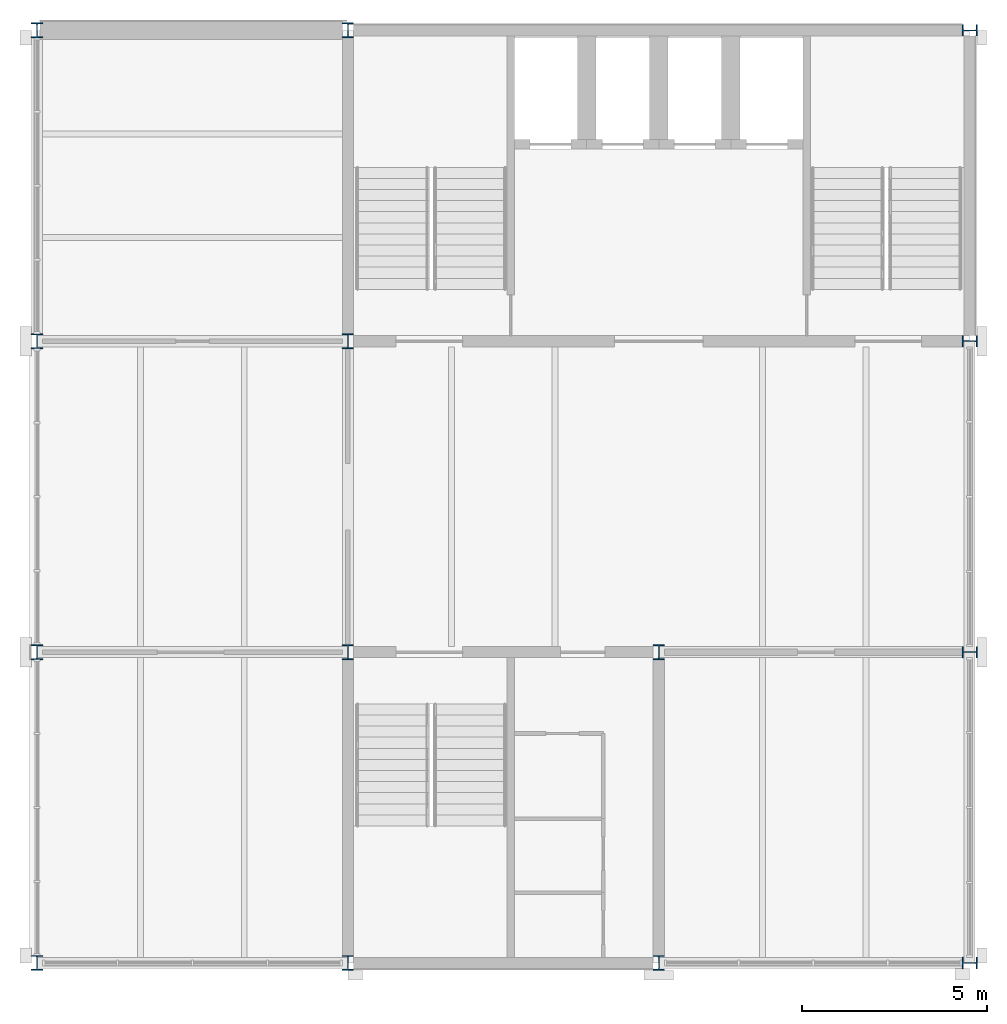
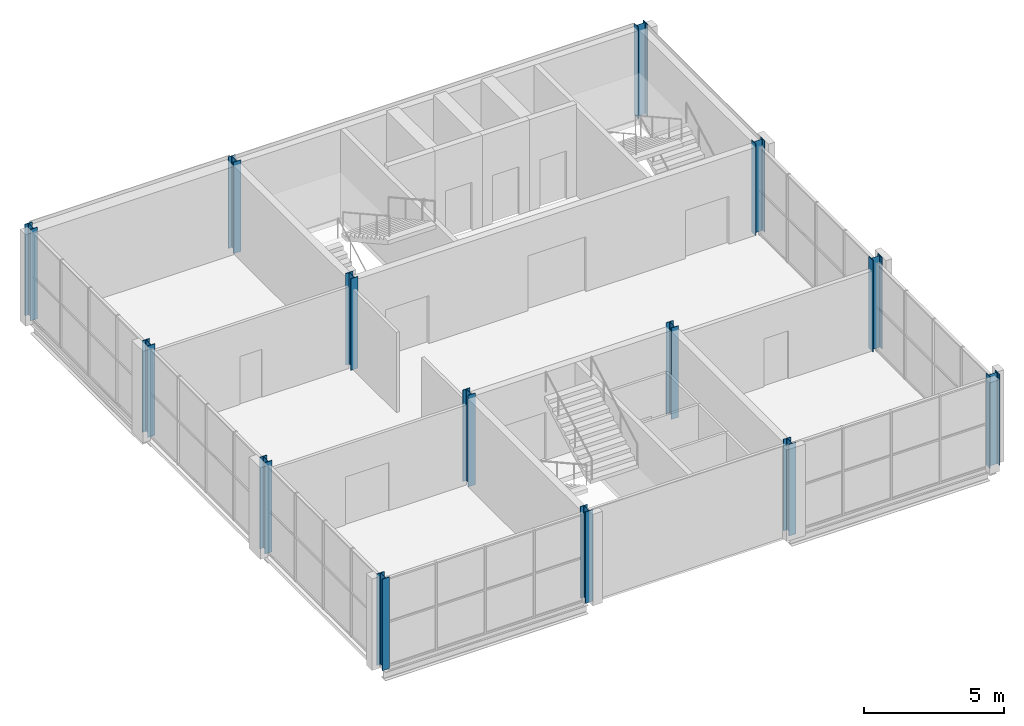
# One storey, part 1 of 8: 14 columns.
"""IFC4 building model written with IfcOpenShell, lengths in metres."""

import ifcopenshell
import ifcopenshell.guid

model = None  # the IFC model being written
_history = None  # IfcOwnerHistory: only IFC2X3 demands one
_inside = {}  # id of a spatial element -> (the spatial element, [elements in it])
_under = {}  # id of a project, library or spatial element -> (it, [spatial elements below it])
_declared = {}  # id of a project -> (the project, [libraries it declares])
_typed = {}  # id of a type object -> (the type object, [elements of that type])
_made_of = {}  # id of a material, layer set ... -> (it, [elements and type objects made of it])


def new_model(schema):
    """Start an empty IFC model of exactly this schema.

    Asked for "IFC4X3", IfcOpenShell would pick the latest addendum, in which some entities
    have other attributes; the version numbers below select the first issue.
    IFC2X3 requires an IfcOwnerHistory on every rooted entity: one is made here for all.
    """
    global model, _history
    if schema == "IFC4X3":
        model = ifcopenshell.file(schema_version=(4, 3, 0, 0))
    else:
        model = ifcopenshell.file(schema=schema)
    _inside.clear()
    _under.clear()
    _declared.clear()
    _typed.clear()
    _made_of.clear()
    _history = None
    if model.schema == "IFC2X3":
        org = make("IfcOrganization", Name="unknown")
        user = make(
            "IfcPersonAndOrganization",
            ThePerson=make("IfcPerson", FamilyName="unknown"),
            TheOrganization=org,
        )
        app = make(
            "IfcApplication",
            ApplicationDeveloper=org,
            Version="unknown",
            ApplicationFullName="unknown",
            ApplicationIdentifier="unknown",
        )
        _history = make(
            "IfcOwnerHistory",
            OwningUser=user,
            OwningApplication=app,
            ChangeAction="ADDED",
            CreationDate=0,
        )
    return model


def make(cls, **values):
    """One entity of the class cls with the attributes given. An attribute that is None is left unset."""
    return model.create_entity(
        cls, **{name: value for name, value in values.items() if value is not None}
    )


def rooted(cls, **values):
    """An entity with a GlobalId (a new one), such as an element, a storey or a relation."""
    return make(cls, GlobalId=ifcopenshell.guid.new(), OwnerHistory=_history, **values)


def si_unit(unit_type, name, prefix=None):
    """IfcSIUnit, for example si_unit("LENGTHUNIT", "METRE", prefix="MILLI")."""
    return make("IfcSIUnit", UnitType=unit_type, Prefix=prefix, Name=name)


def assignment(units):
    """IfcUnitAssignment: the units of a project."""
    return None if units is None else make("IfcUnitAssignment", Units=units)


def point(xyz):
    """IfcCartesianPoint."""
    return None if xyz is None else make("IfcCartesianPoint", Coordinates=xyz)


def direction(xyz):
    """IfcDirection."""
    return None if xyz is None else make("IfcDirection", DirectionRatios=xyz)


def frame(location, z_axis=None, x_axis=None):
    """IfcAxis2Placement3D, a coordinate frame: its origin and axes. An axis left out is left unset."""
    return make(
        "IfcAxis2Placement3D",
        Location=point(location),
        Axis=direction(z_axis),
        RefDirection=direction(x_axis),
    )


def frame_2d(location, x_axis=None):
    """IfcAxis2Placement2D, a coordinate frame in the plane: its origin and x axis."""
    return make(
        "IfcAxis2Placement2D", Location=point(location), RefDirection=direction(x_axis)
    )


def origin():
    """The frame at (0, 0, 0) with its axes left unset."""
    return frame((0.0, 0.0, 0.0))


def origin_2d():
    """The frame at (0, 0) in the plane with its x axis left unset."""
    return frame_2d((0.0, 0.0))


def place(relative_to, where):
    """IfcLocalPlacement: puts the frame where relative to a parent placement (None: the world)."""
    return make(
        "IfcLocalPlacement", PlacementRelTo=relative_to, RelativePlacement=where
    )


def context(
    kind, dimensions, precision=None, world=None, true_north=None, identifier=None
):
    """IfcGeometricRepresentationContext, for example the 3D "Model" context."""
    return make(
        "IfcGeometricRepresentationContext",
        ContextIdentifier=identifier,
        ContextType=kind,
        CoordinateSpaceDimension=dimensions,
        Precision=precision,
        WorldCoordinateSystem=world,
        TrueNorth=true_north,
    )


def subcontext(parent, identifier, kind, view, scale=None):
    """IfcGeometricRepresentationSubContext, for example "Body" below "Model"."""
    return make(
        "IfcGeometricRepresentationSubContext",
        ContextIdentifier=identifier,
        ContextType=kind,
        ParentContext=parent,
        TargetScale=scale,
        TargetView=view,
    )


def project(units=None, contexts=None):
    """IfcProject with its units and contexts."""
    return rooted(
        "IfcProject",
        Name="project",
        RepresentationContexts=contexts,
        UnitsInContext=assignment(units),
    )


def spatial(cls, under=None, at=None, **own):
    """A site, building, storey or space (cls), placed at a placement, below another one or the project."""
    s = rooted(cls, ObjectPlacement=at, **own)
    if under is not None:
        _under.setdefault(under.id(), (under, []))[1].append(s)
    return s


def profile(cls, at=None, kind="AREA", **sizes):
    """A parametric profile (cls). Its sizes go by their IFC names, for example OverallWidth=200.0."""
    return make(cls, ProfileType=kind, Position=at, **sizes)


def i_section(**sizes):
    """IfcIShapeProfileDef."""
    return profile("IfcIShapeProfileDef", **sizes)


def extrude(swept, where, along, depth):
    """IfcExtrudedAreaSolid: the profile swept, set in the frame where, extruded along a direction by depth."""
    return make(
        "IfcExtrudedAreaSolid",
        SweptArea=swept,
        Position=where,
        ExtrudedDirection=direction(along),
        Depth=depth,
    )


def shape(context_of_items, identifier, shape_type, items):
    """IfcShapeRepresentation: the items that make up one representation, for example the "Body"."""
    return make(
        "IfcShapeRepresentation",
        ContextOfItems=context_of_items,
        RepresentationIdentifier=identifier,
        RepresentationType=shape_type,
        Items=items,
    )


def material(Name=None, Category=None):
    """IfcMaterial."""
    return make("IfcMaterial", Name=Name, Category=Category)


def material_profile(
    of_material, cross_section, Name=None, Category=None, Priority=None
):
    """IfcMaterialProfile: a cross section and its material."""
    return make(
        "IfcMaterialProfile",
        Name=Name,
        Material=of_material,
        Profile=cross_section,
        Priority=Priority,
        Category=Category,
    )


def profile_set(profiles, Name=None, composite=None):
    """IfcMaterialProfileSet."""
    return make(
        "IfcMaterialProfileSet",
        Name=Name,
        MaterialProfiles=profiles,
        CompositeProfile=composite,
    )


def made_of(thing, what):
    """Note that an element or type object is made of a material, layer set ...; save() writes the relation."""
    if what is not None:
        _made_of.setdefault(what.id(), (what, []))[1].append(thing)
    return thing


def type_object(cls, material=None, **own):
    """A type object (cls), such as IfcWallType, which elements share."""
    return made_of(rooted(cls, **own), material)


def element(
    cls,
    number,
    at=None,
    inside=None,
    cuts=None,
    type_object=None,
    material=None,
    context=None,
    identifier="Body",
    shape_type=None,
    held_by="IfcProductDefinitionShape",
    body=None,
    shapes=None,
    **own,
):
    """One element of the class cls, such as IfcWall. Its Tag is "e" and its number.

    at: its placement. inside: the storey or other place that contains it. cuts: it is an
    opening in that element (IfcRelVoidsElement). A single representation is given by context,
    identifier, shape_type and body (its items); several are given by shapes. held_by: the class
    of the entity that holds the representations. save() writes the other relations.
    """
    e = rooted(cls, Tag="e%d" % number, ObjectPlacement=at, **own)
    if body is not None:
        shapes = [shape(context, identifier, shape_type, body)]
    if shapes is not None:
        e.Representation = make(held_by, Representations=shapes)
    if inside is not None:
        _inside.setdefault(inside.id(), (inside, []))[1].append(e)
    if cuts is not None:
        rooted(
            "IfcRelVoidsElement", RelatingBuildingElement=cuts, RelatedOpeningElement=e
        )
    if type_object is not None:
        _typed.setdefault(type_object.id(), (type_object, []))[1].append(e)
    return made_of(e, material)


def aggregate(whole, parts):
    """IfcRelAggregates: a whole, such as a stair, and the parts it consists of."""
    return rooted("IfcRelAggregates", RelatingObject=whole, RelatedObjects=parts)


def save(model, path):
    """Write the relations noted so far, then the file.

    IfcRelAggregates (storeys below a building ...), IfcRelContainedInSpatialStructure (elements
    in a storey), IfcRelDefinesByType, IfcRelAssociatesMaterial and IfcRelDeclares: one each for
    every whole, place, type object, material and project.
    """
    for whole, parts in _under.values():
        aggregate(whole, parts)
    for where, things in _inside.values():
        rooted(
            "IfcRelContainedInSpatialStructure",
            RelatedElements=things,
            RelatingStructure=where,
        )
    for kind, things in _typed.values():
        rooted("IfcRelDefinesByType", RelatedObjects=things, RelatingType=kind)
    for what, things in _made_of.values():
        rooted("IfcRelAssociatesMaterial", RelatedObjects=things, RelatingMaterial=what)
    for by, libraries in _declared.values():
        rooted("IfcRelDeclares", RelatingContext=by, RelatedDefinitions=libraries)
    model.write(path)


model = new_model("IFC4")

# Units and contexts
model_context = context("Model", 3, precision=1e-05, world=origin(), true_north=direction((0.0, 1.0)))
body_context = subcontext(model_context, "Body", "Model", "MODEL_VIEW")
ifc_project = project(units=[si_unit("LENGTHUNIT", "METRE"), si_unit("AREAUNIT", "SQUARE_METRE"), si_unit("VOLUMEUNIT", "CUBIC_METRE"), si_unit("PLANEANGLEUNIT", "RADIAN"), si_unit("MASSUNIT", "GRAM", prefix="KILO")], contexts=[model_context])

# Site, building, storey
site_placement = place(None, origin())
site = spatial("IfcSite", under=ifc_project, at=site_placement, CompositionType="ELEMENT")
building_placement = place(site_placement, origin())
building = spatial("IfcBuilding", under=site, at=building_placement, Name="Galleria Vessillo Department Store", CompositionType="ELEMENT")
storey_placement = place(building_placement, frame((0.0, 0.0, 51.60009765625)))
storey = spatial("IfcBuildingStorey", under=building, at=storey_placement, Name="L11", CompositionType="ELEMENT", Elevation=51.60009765625)

# Columns
ifc_material = material(Name="Steel S355 J2", Category="steel")
ifc_material_profile = material_profile(ifc_material, i_section(OverallWidth=0.300048828125, OverallDepth=0.39990234375, WebThickness=0.013427734375, FlangeThickness=0.02392578125, FilletRadius=0.027099609375, at=origin_2d()), Name="HEB 400")
ifc_profile_set = profile_set([ifc_material_profile], Name="Steel S355 J2")
column_type = type_object("IfcColumnType", Name="Steel column HEB 400 CT4", PredefinedType="COLUMN", material=ifc_profile_set)
for number, where, z_axis, x_axis, name in (
    (1, (92.39990234375, 37.800048828125, 0.0), (0.0, 0.0, 1.0), (1.0, 0.0, 0.0), "S-COL-L11-12-E"),
    (2, (92.39990234375, 46.199951171875, 0.0), (0.0, 0.0, 1.0), (1.0, 0.0, 0.0), "S-COL-L11-12-F"),
    (3, (92.39990234375, 54.60009765625, 0.0), (0.0, 0.0, 1.0), (1.0, 0.0, 0.0), "S-COL-L11-12-G"),
    (4, (92.39990234375, 63.0, 0.0), (0.0, 0.0, 1.0), (1.0, 0.0, 0.0), "S-COL-L11-12-H"),
    (5, (100.800048828125, 37.800048828125, 0.0), (0.0, 0.0, 1.0), (1.0, 0.0, 0.0), "S-COL-L11-13-E"),
    (6, (100.800048828125, 46.199951171875, 0.0), (0.0, 0.0, 1.0), (1.0, 0.0, 0.0), "S-COL-L11-13-F"),
    (7, (100.800048828125, 54.60009765625, 0.0), (0.0, 0.0, 1.0), (1.0, 0.0, 0.0), "S-COL-L11-13-G"),
    (8, (100.800048828125, 63.0, 0.0), (0.0, 0.0, 1.0), (1.0, 0.0, 0.0), "S-COL-L11-13-H"),
    (9, (109.199951171875, 37.800048828125, 0.0), (0.0, 0.0, 1.0), (1.0, 0.0, 0.0), "S-COL-L11-14-E"),
    (10, (109.199951171875, 46.199951171875, 0.0), (0.0, 0.0, 1.0), (1.0, 0.0, 0.0), "S-COL-L11-14-F"),
    (11, (117.60009765625, 37.800048828125, 0.0), (0.0, 0.0, 1.0), (0.0, 1.0, 0.0), "S-COL-L11-15-E"),
    (12, (117.60009765625, 46.199951171875, 0.0), (0.0, 0.0, 1.0), (0.0, 1.0, 0.0), "S-COL-L11-15-F"),
    (13, (117.60009765625, 54.60009765625, 0.0), (0.0, 0.0, 1.0), (0.0, 1.0, 0.0), "S-COL-L11-15-G"),
    (14, (117.60009765625, 63.0, 0.0), (0.0, 0.0, 1.0), (0.0, 1.0, 0.0), "S-COL-L11-15-H"),
):
    element("IfcColumn", number, at=place(storey_placement, frame(where, z_axis=z_axis, x_axis=x_axis)), inside=storey, type_object=column_type, Name=name, PredefinedType="COLUMN", context=body_context, shape_type="SweptSolid", body=[
        extrude(i_section(OverallWidth=0.300048828125, OverallDepth=0.39990234375, WebThickness=0.013427734375, FlangeThickness=0.02392578125, FilletRadius=0.027099609375, at=origin_2d()), origin(), (0.0, 0.0, 1.0), 4.0),
    ])

save(model, "model.ifc")
